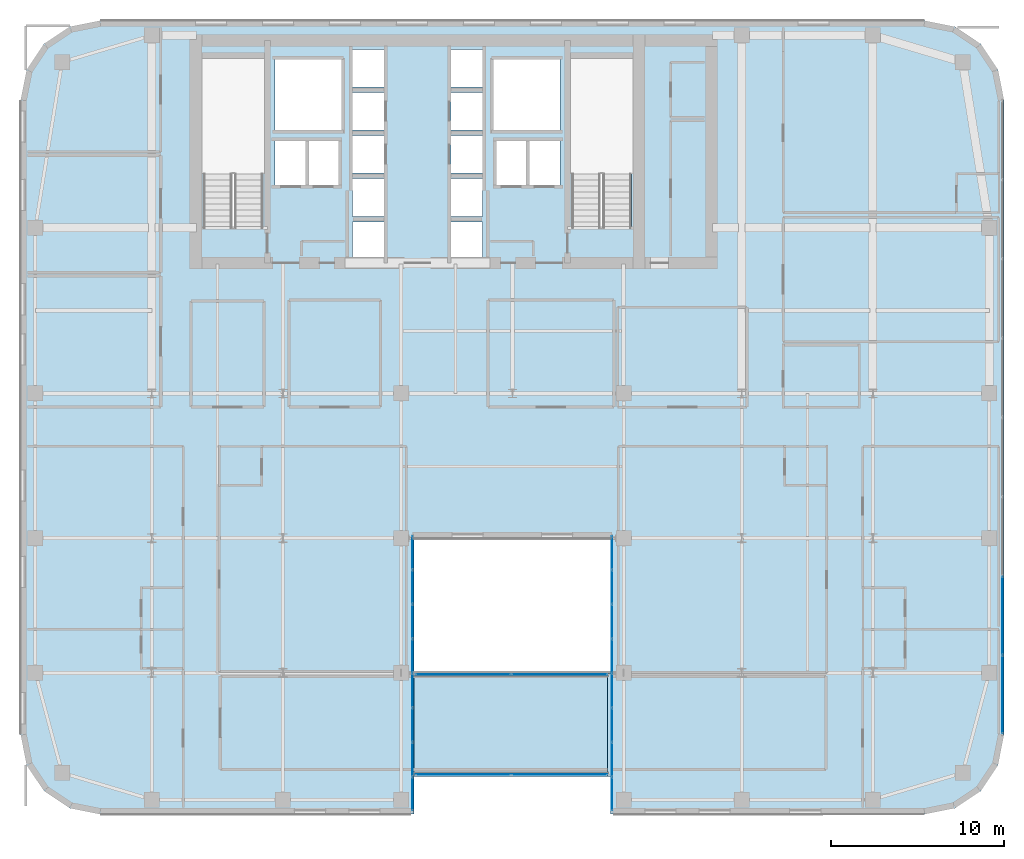
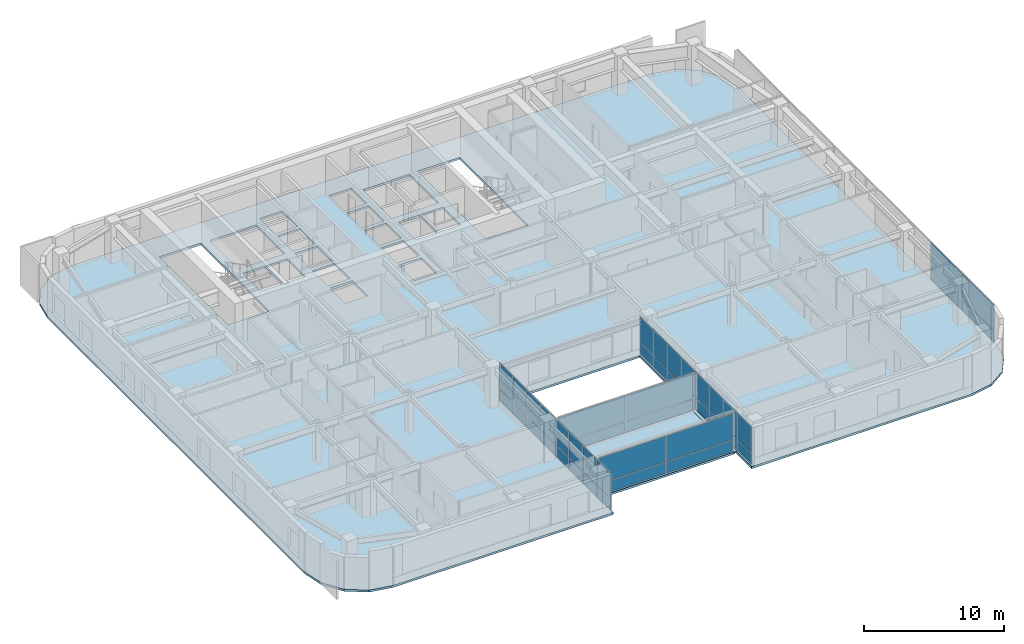
# One storey, part 18 of 31: 45 plates, 2 slabs, 5 elements without a shape of their own.
"""IFC4 building model written with IfcOpenShell, lengths in metres."""

from ifc_helpers import new_model, si_unit, direction, frame, origin, origin_2d, place, context, subcontext, project, spatial, polyline, rectangle, outline, extrude, source, transform, mapped, material, layer, layer_set, type_object, type_shapes, element, aggregate, save


model = new_model("IFC4")

# Units and contexts
model_context = context("Model", 3, precision=1e-05, world=origin(), true_north=direction((0.0, 1.0)))
body_context = subcontext(model_context, "Body", "Model", "MODEL_VIEW")
ifc_project = project(units=[si_unit("LENGTHUNIT", "METRE"), si_unit("AREAUNIT", "SQUARE_METRE"), si_unit("VOLUMEUNIT", "CUBIC_METRE"), si_unit("PLANEANGLEUNIT", "RADIAN"), si_unit("MASSUNIT", "GRAM", prefix="KILO")], contexts=[model_context])

# Site, building, storey
site_placement = place(None, origin())
site = spatial("IfcSite", under=ifc_project, at=site_placement, CompositionType="ELEMENT")
building_placement = place(site_placement, origin())
building = spatial("IfcBuilding", under=site, at=building_placement, Name="Tolvann Quenvar Hotel", CompositionType="ELEMENT")
storey_placement = place(building_placement, frame((0.0, 0.0, 125.75)))
storey = spatial("IfcBuildingStorey", under=building, at=storey_placement, Name="L32", CompositionType="ELEMENT", Elevation=125.75)

# Slabs
ifc_material_1 = material(Name="Concrete N40 (40 MPa)", Category="concrete")
ifc_layer_1 = layer(ifc_material_1, 0.179931640625)
ifc_layer_set_1 = layer_set([ifc_layer_1], Name="Concrete N40 (40 MPa)")
slab_type = type_object("IfcSlabType", Name="SLAB_TWR_180", PredefinedType="FLOOR", material=ifc_layer_set_1)
slab_1_placement = place(storey_placement, frame((0.0, 0.0, -0.179931640625)))
element("IfcSlab", 1, at=slab_1_placement, inside=storey, type_object=slab_type, Name="Level L32 Structural Floor Slab", PredefinedType="FLOOR", context=body_context, shape_type="SweptSolid", body=[
    extrude(outline(polyline([(0.0, 4.60009765625), (0.35009765625, 2.839599609375), (1.347412109375, 1.347412109375), (2.839599609375, 0.35009765625), (4.60009765625, 0.0), (22.800048828125, 0.0), (22.800048828125, 16.0), (34.199951171875, 16.0), (34.199951171875, 0.0), (52.39990234375, 0.0), (54.160400390625, 0.35009765625), (55.652587890625, 1.347412109375), (56.64990234375, 2.839599609375), (57.0, 4.60009765625), (57.0, 41.39990234375), (56.64990234375, 43.160400390625), (55.652587890625, 44.652587890625), (54.160400390625, 45.64990234375), (52.39990234375, 46.0), (4.60009765625, 46.0), (2.839599609375, 45.64990234375), (1.347412109375, 44.652587890625), (0.35009765625, 43.160400390625), (0.0, 41.39990234375), (0.0, 4.60009765625)]), holes=[polyline([(31.949951171875, 34.02490234375), (31.949951171875, 43.800048828125), (35.39990234375, 43.800048828125), (35.39990234375, 34.02490234375), (31.949951171875, 34.02490234375)]), polyline([(29.449951171875, 39.02001953125), (31.25, 39.02001953125), (31.25, 36.47998046875), (29.449951171875, 36.47998046875), (29.449951171875, 39.02001953125)]), polyline([(31.25, 43.75), (31.25, 39.64990234375), (27.39990234375, 39.64990234375), (27.39990234375, 43.75), (31.25, 43.75)]), polyline([(27.574951171875, 39.02001953125), (29.324951171875, 39.02001953125), (29.324951171875, 36.47998046875), (27.574951171875, 36.47998046875), (27.574951171875, 39.02001953125)]), polyline([(26.77001953125, 44.340087890625), (26.77001953125, 42.159912109375), (24.929931640625, 42.159912109375), (24.929931640625, 44.340087890625), (26.77001953125, 44.340087890625)]), polyline([(24.929931640625, 41.840087890625), (26.77001953125, 41.840087890625), (26.77001953125, 39.659912109375), (24.929931640625, 39.659912109375), (24.929931640625, 41.840087890625)]), polyline([(24.929931640625, 39.340087890625), (26.77001953125, 39.340087890625), (26.77001953125, 37.159912109375), (24.929931640625, 37.159912109375), (24.929931640625, 39.340087890625)]), polyline([(24.929931640625, 36.840087890625), (26.77001953125, 36.840087890625), (26.77001953125, 34.659912109375), (24.929931640625, 34.659912109375), (24.929931640625, 36.840087890625)]), polyline([(24.929931640625, 34.340087890625), (26.77001953125, 34.340087890625), (26.77001953125, 32.159912109375), (24.929931640625, 32.159912109375), (24.929931640625, 34.340087890625)]), polyline([(21.070068359375, 44.340087890625), (21.070068359375, 42.159912109375), (19.22998046875, 42.159912109375), (19.22998046875, 44.340087890625), (21.070068359375, 44.340087890625)]), polyline([(19.22998046875, 41.840087890625), (21.070068359375, 41.840087890625), (21.070068359375, 39.659912109375), (19.22998046875, 39.659912109375), (19.22998046875, 41.840087890625)]), polyline([(19.22998046875, 39.340087890625), (21.070068359375, 39.340087890625), (21.070068359375, 37.159912109375), (19.22998046875, 37.159912109375), (19.22998046875, 39.340087890625)]), polyline([(19.22998046875, 36.840087890625), (21.070068359375, 36.840087890625), (21.070068359375, 34.659912109375), (19.22998046875, 34.659912109375), (19.22998046875, 36.840087890625)]), polyline([(19.22998046875, 34.340087890625), (21.070068359375, 34.340087890625), (21.070068359375, 32.159912109375), (19.22998046875, 32.159912109375), (19.22998046875, 34.340087890625)]), polyline([(18.60009765625, 43.75), (18.60009765625, 39.64990234375), (14.75, 39.64990234375), (14.75, 43.75), (18.60009765625, 43.75)]), polyline([(16.675048828125, 39.02001953125), (18.425048828125, 39.02001953125), (18.425048828125, 36.47998046875), (16.675048828125, 36.47998046875), (16.675048828125, 39.02001953125)]), polyline([(14.75, 39.02001953125), (16.550048828125, 39.02001953125), (16.550048828125, 36.47998046875), (14.75, 36.47998046875), (14.75, 39.02001953125)]), polyline([(10.60009765625, 34.02490234375), (10.60009765625, 43.800048828125), (14.050048828125, 43.800048828125), (14.050048828125, 34.02490234375), (10.60009765625, 34.02490234375)])]), origin(), (0.0, 0.0, 1.0), 0.179931640625),
])
slab_2_placement = place(storey_placement, frame((0.0, 0.0, -0.179931640625)))
element("IfcSlab", 2, at=slab_2_placement, inside=storey, type_object=slab_type, Name="Level L32 Skybridge Deck Slab", PredefinedType="FLOOR", context=body_context, shape_type="SweptSolid", body=[
    extrude(outline(polyline([(22.800048828125, 2.199951171875), (34.080078125, 2.199951171875), (34.080078125, 8.199951171875), (22.800048828125, 8.199951171875), (22.800048828125, 2.199951171875)])), origin(), (0.0, 0.0, 1.0), 0.179931640625),
])

# Plate
ifc_material_2 = material(Name="Steel Grade 350", Category="steel")
ifc_layer_2 = layer(ifc_material_2, 0.02490234375)
ifc_layer_set_2 = layer_set([ifc_layer_2], Name="Steel Grade 350")
plate_type_1 = type_object("IfcPlateType", Name="PLT_MJ_6000", PredefinedType="SHEET", material=ifc_layer_set_2)
shared_shape_1 = source(origin(), body_context, "Body", "SweptSolid", [
    extrude(rectangle(XDim=0.239990234375, YDim=6.0, at=origin_2d()), origin(), (0.0, 0.0, 1.0), 0.02490234375),
])
type_shapes(plate_type_1, [shared_shape_1])
plate_1_placement = place(storey_placement, frame((34.139892578125, 5.199951171875, -0.02490234375), z_axis=(0.0, 0.0, 1.0), x_axis=(1.0, 0.0, 0.0)))
element("IfcPlate", 3, at=plate_1_placement, inside=storey, type_object=plate_type_1, Name="Skybridge Seismic Movement Joint Cover Plate (L32)", PredefinedType="SHEET", context=body_context, shape_type="MappedRepresentation", body=[
    mapped(shared_shape_1, transform((0.0, 0.0, 0.0), x_axis=(1.0, 0.0, 0.0), y_axis=(0.0, 1.0, 0.0), z_axis=(0.0, 0.0, 1.0), scale=1.0)),
])

# Curtain wall, plates
ifc_material_3 = material(Name="Thermally broken anodised architectural aluminium 6063-T6 and laminated low-E glass", Category="aluminium")
ifc_layer_3 = layer(ifc_material_3, 0.179931640625)
ifc_layer_set_3 = layer_set([ifc_layer_3], Name="Thermally broken anodised architectural aluminium 6063-T6 and laminated low-E glass")
curtain_wall_type_1 = type_object("IfcCurtainWallType", Name="CW_SYS_SLOT_03", PredefinedType="USERDEFINED", material=ifc_layer_set_3)
curtain_wall_1_placement = place(storey_placement, origin())
curtain_wall_1 = element("IfcCurtainWall", 4, at=curtain_wall_1_placement, inside=storey, type_object=curtain_wall_type_1, Name="Curtain Wall CW-SLOT-03 (CWR-L32-E05)", ObjectType="UNITISED CURTAIN WALL", PredefinedType="USERDEFINED")
ifc_material_4 = material(Name="Low-iron laminated double glazing with solar-control coating", Category="glass")
ifc_layer_4 = layer(ifc_material_4, 0.028076171875)
ifc_layer_set_4 = layer_set([ifc_layer_4], Name="Low-iron laminated double glazing with solar-control coating")
plate_type_2 = type_object("IfcPlateType", Name="CW_PAN_VISION_28", PredefinedType="CURTAIN_PANEL", material=ifc_layer_set_4)
shared_shape_2 = source(origin(), body_context, "Body", "SweptSolid", [
    extrude(rectangle(XDim=1.89501953125, YDim=0.028076171875, at=origin_2d()), origin(), (0.0, 0.0, 1.0), 0.9599609375),
])
plate_2_placement = place(storey_placement, frame((22.7099609375, 1.1923828125, 0.06005859375), z_axis=(0.0, 0.0, 1.0), x_axis=(0.0, 1.0, 0.0)))
plate_2 = element("IfcPlate", 5, at=plate_2_placement, type_object=plate_type_2, Name="CW-SLOT-03 panel 1.1", PredefinedType="CURTAIN_PANEL", context=body_context, shape_type="MappedRepresentation", body=[
    mapped(shared_shape_2, transform((0.0, 0.0, 0.0), x_axis=(1.0, 0.0, 0.0), y_axis=(0.0, 1.0, 0.0), z_axis=(0.0, 0.0, 1.0), scale=1.0)),
])
plate_3_placement = place(storey_placement, frame((22.7099609375, 15.157470703125, 0.06005859375), z_axis=(0.0, 0.0, 1.0), x_axis=(0.0, 1.0, 0.0)))
plate_3 = element("IfcPlate", 6, at=plate_3_placement, type_object=plate_type_2, Name="CW-SLOT-03 panel 8.1", PredefinedType="CURTAIN_PANEL", context=body_context, shape_type="MappedRepresentation", body=[
    mapped(shared_shape_2, transform((0.0, 0.0, 0.0), x_axis=(1.0, 0.0, 0.0), y_axis=(0.0, 1.0, 0.0), z_axis=(0.0, 0.0, 1.0), scale=1.0)),
])

curtain_wall_2_placement = place(storey_placement, origin())
curtain_wall_2 = element("IfcCurtainWall", 7, at=curtain_wall_2_placement, inside=storey, type_object=curtain_wall_type_1, Name="Curtain Wall CW-SLOT-03 (CWR-L32-E07)", ObjectType="UNITISED CURTAIN WALL", PredefinedType="USERDEFINED")
plate_4_placement = place(storey_placement, frame((34.2900390625, 15.157470703125, 0.06005859375), z_axis=(0.0, 0.0, 1.0), x_axis=(0.0, -1.0, 0.0)))
plate_4 = element("IfcPlate", 8, at=plate_4_placement, type_object=plate_type_2, Name="CW-SLOT-03 panel 1.1", PredefinedType="CURTAIN_PANEL", context=body_context, shape_type="MappedRepresentation", body=[
    mapped(shared_shape_2, transform((0.0, 0.0, 0.0), x_axis=(1.0, 0.0, 0.0), y_axis=(0.0, 1.0, 0.0), z_axis=(0.0, 0.0, 1.0), scale=1.0)),
])
plate_5_placement = place(storey_placement, frame((34.2900390625, 1.1923828125, 0.06005859375), z_axis=(0.0, 0.0, 1.0), x_axis=(0.0, -1.0, 0.0)))
plate_5 = element("IfcPlate", 9, at=plate_5_placement, type_object=plate_type_2, Name="CW-SLOT-03 panel 8.1", PredefinedType="CURTAIN_PANEL", context=body_context, shape_type="MappedRepresentation", body=[
    mapped(shared_shape_2, transform((0.0, 0.0, 0.0), x_axis=(1.0, 0.0, 0.0), y_axis=(0.0, 1.0, 0.0), z_axis=(0.0, 0.0, 1.0), scale=1.0)),
])

# Plate
shared_shape_3 = source(origin(), body_context, "Body", "SweptSolid", [
    extrude(rectangle(XDim=1.89501953125, YDim=0.028076171875, at=origin_2d()), origin(), (0.0, 0.0, 1.0), 2.22998046875),
])
plate_6_placement = place(storey_placement, frame((22.7099609375, 1.1923828125, 1.080078125), z_axis=(0.0, 0.0, 1.0), x_axis=(0.0, 1.0, 0.0)))
plate_6 = element("IfcPlate", 10, at=plate_6_placement, type_object=plate_type_2, Name="CW-SLOT-03 panel 1.2", PredefinedType="CURTAIN_PANEL", context=body_context, shape_type="MappedRepresentation", body=[
    mapped(shared_shape_3, transform((0.0, 0.0, 0.0), x_axis=(1.0, 0.0, 0.0), y_axis=(0.0, 1.0, 0.0), z_axis=(0.0, 0.0, 1.0), scale=1.0)),
])

plate_7_placement = place(storey_placement, frame((22.7099609375, 15.157470703125, 1.080078125), z_axis=(0.0, 0.0, 1.0), x_axis=(0.0, 1.0, 0.0)))
plate_7 = element("IfcPlate", 11, at=plate_7_placement, type_object=plate_type_2, Name="CW-SLOT-03 panel 8.2", PredefinedType="CURTAIN_PANEL", context=body_context, shape_type="MappedRepresentation", body=[
    mapped(shared_shape_3, transform((0.0, 0.0, 0.0), x_axis=(1.0, 0.0, 0.0), y_axis=(0.0, 1.0, 0.0), z_axis=(0.0, 0.0, 1.0), scale=1.0)),
])

plate_8_placement = place(storey_placement, frame((34.2900390625, 15.157470703125, 1.080078125), z_axis=(0.0, 0.0, 1.0), x_axis=(0.0, -1.0, 0.0)))
plate_8 = element("IfcPlate", 12, at=plate_8_placement, type_object=plate_type_2, Name="CW-SLOT-03 panel 1.2", PredefinedType="CURTAIN_PANEL", context=body_context, shape_type="MappedRepresentation", body=[
    mapped(shared_shape_3, transform((0.0, 0.0, 0.0), x_axis=(1.0, 0.0, 0.0), y_axis=(0.0, 1.0, 0.0), z_axis=(0.0, 0.0, 1.0), scale=1.0)),
])

plate_9_placement = place(storey_placement, frame((34.2900390625, 1.1923828125, 1.080078125), z_axis=(0.0, 0.0, 1.0), x_axis=(0.0, -1.0, 0.0)))
plate_9 = element("IfcPlate", 13, at=plate_9_placement, type_object=plate_type_2, Name="CW-SLOT-03 panel 8.2", PredefinedType="CURTAIN_PANEL", context=body_context, shape_type="MappedRepresentation", body=[
    mapped(shared_shape_3, transform((0.0, 0.0, 0.0), x_axis=(1.0, 0.0, 0.0), y_axis=(0.0, 1.0, 0.0), z_axis=(0.0, 0.0, 1.0), scale=1.0)),
])

shared_shape_4 = source(origin(), body_context, "Body", "SweptSolid", [
    extrude(rectangle(XDim=1.929931640625, YDim=0.028076171875, at=origin_2d()), origin(), (0.0, 0.0, 1.0), 0.9599609375),
])
plate_10_placement = place(storey_placement, frame((22.7099609375, 3.175048828125, 0.06005859375), z_axis=(0.0, 0.0, 1.0), x_axis=(0.0, 1.0, 0.0)))
plate_10 = element("IfcPlate", 14, at=plate_10_placement, type_object=plate_type_2, Name="CW-SLOT-03 panel 2.1", PredefinedType="CURTAIN_PANEL", context=body_context, shape_type="MappedRepresentation", body=[
    mapped(shared_shape_4, transform((0.0, 0.0, 0.0), x_axis=(1.0, 0.0, 0.0), y_axis=(0.0, 1.0, 0.0), z_axis=(0.0, 0.0, 1.0), scale=1.0)),
])

plate_11_placement = place(storey_placement, frame((22.7099609375, 5.175048828125, 0.06005859375), z_axis=(0.0, 0.0, 1.0), x_axis=(0.0, 1.0, 0.0)))
plate_11 = element("IfcPlate", 15, at=plate_11_placement, type_object=plate_type_2, Name="CW-SLOT-03 panel 3.1", PredefinedType="CURTAIN_PANEL", context=body_context, shape_type="MappedRepresentation", body=[
    mapped(shared_shape_4, transform((0.0, 0.0, 0.0), x_axis=(1.0, 0.0, 0.0), y_axis=(0.0, 1.0, 0.0), z_axis=(0.0, 0.0, 1.0), scale=1.0)),
])

plate_12_placement = place(storey_placement, frame((22.7099609375, 7.175048828125, 0.06005859375), z_axis=(0.0, 0.0, 1.0), x_axis=(0.0, 1.0, 0.0)))
plate_12 = element("IfcPlate", 16, at=plate_12_placement, type_object=plate_type_2, Name="CW-SLOT-03 panel 4.1", PredefinedType="CURTAIN_PANEL", context=body_context, shape_type="MappedRepresentation", body=[
    mapped(shared_shape_4, transform((0.0, 0.0, 0.0), x_axis=(1.0, 0.0, 0.0), y_axis=(0.0, 1.0, 0.0), z_axis=(0.0, 0.0, 1.0), scale=1.0)),
])

plate_13_placement = place(storey_placement, frame((22.7099609375, 9.175048828125, 0.06005859375), z_axis=(0.0, 0.0, 1.0), x_axis=(0.0, 1.0, 0.0)))
plate_13 = element("IfcPlate", 17, at=plate_13_placement, type_object=plate_type_2, Name="CW-SLOT-03 panel 5.1", PredefinedType="CURTAIN_PANEL", context=body_context, shape_type="MappedRepresentation", body=[
    mapped(shared_shape_4, transform((0.0, 0.0, 0.0), x_axis=(1.0, 0.0, 0.0), y_axis=(0.0, 1.0, 0.0), z_axis=(0.0, 0.0, 1.0), scale=1.0)),
])

plate_14_placement = place(storey_placement, frame((22.7099609375, 11.175048828125, 0.06005859375), z_axis=(0.0, 0.0, 1.0), x_axis=(0.0, 1.0, 0.0)))
plate_14 = element("IfcPlate", 18, at=plate_14_placement, type_object=plate_type_2, Name="CW-SLOT-03 panel 6.1", PredefinedType="CURTAIN_PANEL", context=body_context, shape_type="MappedRepresentation", body=[
    mapped(shared_shape_4, transform((0.0, 0.0, 0.0), x_axis=(1.0, 0.0, 0.0), y_axis=(0.0, 1.0, 0.0), z_axis=(0.0, 0.0, 1.0), scale=1.0)),
])

plate_15_placement = place(storey_placement, frame((22.7099609375, 13.175048828125, 0.06005859375), z_axis=(0.0, 0.0, 1.0), x_axis=(0.0, 1.0, 0.0)))
plate_15 = element("IfcPlate", 19, at=plate_15_placement, type_object=plate_type_2, Name="CW-SLOT-03 panel 7.1", PredefinedType="CURTAIN_PANEL", context=body_context, shape_type="MappedRepresentation", body=[
    mapped(shared_shape_4, transform((0.0, 0.0, 0.0), x_axis=(1.0, 0.0, 0.0), y_axis=(0.0, 1.0, 0.0), z_axis=(0.0, 0.0, 1.0), scale=1.0)),
])

plate_16_placement = place(storey_placement, frame((34.2900390625, 13.175048828125, 0.06005859375), z_axis=(0.0, 0.0, 1.0), x_axis=(0.0, -1.0, 0.0)))
plate_16 = element("IfcPlate", 20, at=plate_16_placement, type_object=plate_type_2, Name="CW-SLOT-03 panel 2.1", PredefinedType="CURTAIN_PANEL", context=body_context, shape_type="MappedRepresentation", body=[
    mapped(shared_shape_4, transform((0.0, 0.0, 0.0), x_axis=(1.0, 0.0, 0.0), y_axis=(0.0, 1.0, 0.0), z_axis=(0.0, 0.0, 1.0), scale=1.0)),
])

plate_17_placement = place(storey_placement, frame((34.2900390625, 11.175048828125, 0.06005859375), z_axis=(0.0, 0.0, 1.0), x_axis=(0.0, -1.0, 0.0)))
plate_17 = element("IfcPlate", 21, at=plate_17_placement, type_object=plate_type_2, Name="CW-SLOT-03 panel 3.1", PredefinedType="CURTAIN_PANEL", context=body_context, shape_type="MappedRepresentation", body=[
    mapped(shared_shape_4, transform((0.0, 0.0, 0.0), x_axis=(1.0, 0.0, 0.0), y_axis=(0.0, 1.0, 0.0), z_axis=(0.0, 0.0, 1.0), scale=1.0)),
])

plate_18_placement = place(storey_placement, frame((34.2900390625, 9.175048828125, 0.06005859375), z_axis=(0.0, 0.0, 1.0), x_axis=(0.0, -1.0, 0.0)))
plate_18 = element("IfcPlate", 22, at=plate_18_placement, type_object=plate_type_2, Name="CW-SLOT-03 panel 4.1", PredefinedType="CURTAIN_PANEL", context=body_context, shape_type="MappedRepresentation", body=[
    mapped(shared_shape_4, transform((0.0, 0.0, 0.0), x_axis=(1.0, 0.0, 0.0), y_axis=(0.0, 1.0, 0.0), z_axis=(0.0, 0.0, 1.0), scale=1.0)),
])

plate_19_placement = place(storey_placement, frame((34.2900390625, 7.175048828125, 0.06005859375), z_axis=(0.0, 0.0, 1.0), x_axis=(0.0, -1.0, 0.0)))
plate_19 = element("IfcPlate", 23, at=plate_19_placement, type_object=plate_type_2, Name="CW-SLOT-03 panel 5.1", PredefinedType="CURTAIN_PANEL", context=body_context, shape_type="MappedRepresentation", body=[
    mapped(shared_shape_4, transform((0.0, 0.0, 0.0), x_axis=(1.0, 0.0, 0.0), y_axis=(0.0, 1.0, 0.0), z_axis=(0.0, 0.0, 1.0), scale=1.0)),
])

plate_20_placement = place(storey_placement, frame((34.2900390625, 5.175048828125, 0.06005859375), z_axis=(0.0, 0.0, 1.0), x_axis=(0.0, -1.0, 0.0)))
plate_20 = element("IfcPlate", 24, at=plate_20_placement, type_object=plate_type_2, Name="CW-SLOT-03 panel 6.1", PredefinedType="CURTAIN_PANEL", context=body_context, shape_type="MappedRepresentation", body=[
    mapped(shared_shape_4, transform((0.0, 0.0, 0.0), x_axis=(1.0, 0.0, 0.0), y_axis=(0.0, 1.0, 0.0), z_axis=(0.0, 0.0, 1.0), scale=1.0)),
])

plate_21_placement = place(storey_placement, frame((34.2900390625, 3.175048828125, 0.06005859375), z_axis=(0.0, 0.0, 1.0), x_axis=(0.0, -1.0, 0.0)))
plate_21 = element("IfcPlate", 25, at=plate_21_placement, type_object=plate_type_2, Name="CW-SLOT-03 panel 7.1", PredefinedType="CURTAIN_PANEL", context=body_context, shape_type="MappedRepresentation", body=[
    mapped(shared_shape_4, transform((0.0, 0.0, 0.0), x_axis=(1.0, 0.0, 0.0), y_axis=(0.0, 1.0, 0.0), z_axis=(0.0, 0.0, 1.0), scale=1.0)),
])

shared_shape_5 = source(origin(), body_context, "Body", "SweptSolid", [
    extrude(rectangle(XDim=1.929931640625, YDim=0.028076171875, at=origin_2d()), origin(), (0.0, 0.0, 1.0), 2.22998046875),
])
plate_22_placement = place(storey_placement, frame((22.7099609375, 3.175048828125, 1.080078125), z_axis=(0.0, 0.0, 1.0), x_axis=(0.0, 1.0, 0.0)))
plate_22 = element("IfcPlate", 26, at=plate_22_placement, type_object=plate_type_2, Name="CW-SLOT-03 panel 2.2", PredefinedType="CURTAIN_PANEL", context=body_context, shape_type="MappedRepresentation", body=[
    mapped(shared_shape_5, transform((0.0, 0.0, 0.0), x_axis=(1.0, 0.0, 0.0), y_axis=(0.0, 1.0, 0.0), z_axis=(0.0, 0.0, 1.0), scale=1.0)),
])

plate_23_placement = place(storey_placement, frame((22.7099609375, 5.175048828125, 1.080078125), z_axis=(0.0, 0.0, 1.0), x_axis=(0.0, 1.0, 0.0)))
plate_23 = element("IfcPlate", 27, at=plate_23_placement, type_object=plate_type_2, Name="CW-SLOT-03 panel 3.2", PredefinedType="CURTAIN_PANEL", context=body_context, shape_type="MappedRepresentation", body=[
    mapped(shared_shape_5, transform((0.0, 0.0, 0.0), x_axis=(1.0, 0.0, 0.0), y_axis=(0.0, 1.0, 0.0), z_axis=(0.0, 0.0, 1.0), scale=1.0)),
])

plate_24_placement = place(storey_placement, frame((22.7099609375, 7.175048828125, 1.080078125), z_axis=(0.0, 0.0, 1.0), x_axis=(0.0, 1.0, 0.0)))
plate_24 = element("IfcPlate", 28, at=plate_24_placement, type_object=plate_type_2, Name="CW-SLOT-03 panel 4.2", PredefinedType="CURTAIN_PANEL", context=body_context, shape_type="MappedRepresentation", body=[
    mapped(shared_shape_5, transform((0.0, 0.0, 0.0), x_axis=(1.0, 0.0, 0.0), y_axis=(0.0, 1.0, 0.0), z_axis=(0.0, 0.0, 1.0), scale=1.0)),
])

plate_25_placement = place(storey_placement, frame((22.7099609375, 9.175048828125, 1.080078125), z_axis=(0.0, 0.0, 1.0), x_axis=(0.0, 1.0, 0.0)))
plate_25 = element("IfcPlate", 29, at=plate_25_placement, type_object=plate_type_2, Name="CW-SLOT-03 panel 5.2", PredefinedType="CURTAIN_PANEL", context=body_context, shape_type="MappedRepresentation", body=[
    mapped(shared_shape_5, transform((0.0, 0.0, 0.0), x_axis=(1.0, 0.0, 0.0), y_axis=(0.0, 1.0, 0.0), z_axis=(0.0, 0.0, 1.0), scale=1.0)),
])

plate_26_placement = place(storey_placement, frame((22.7099609375, 11.175048828125, 1.080078125), z_axis=(0.0, 0.0, 1.0), x_axis=(0.0, 1.0, 0.0)))
plate_26 = element("IfcPlate", 30, at=plate_26_placement, type_object=plate_type_2, Name="CW-SLOT-03 panel 6.2", PredefinedType="CURTAIN_PANEL", context=body_context, shape_type="MappedRepresentation", body=[
    mapped(shared_shape_5, transform((0.0, 0.0, 0.0), x_axis=(1.0, 0.0, 0.0), y_axis=(0.0, 1.0, 0.0), z_axis=(0.0, 0.0, 1.0), scale=1.0)),
])

plate_27_placement = place(storey_placement, frame((22.7099609375, 13.175048828125, 1.080078125), z_axis=(0.0, 0.0, 1.0), x_axis=(0.0, 1.0, 0.0)))
plate_27 = element("IfcPlate", 31, at=plate_27_placement, type_object=plate_type_2, Name="CW-SLOT-03 panel 7.2", PredefinedType="CURTAIN_PANEL", context=body_context, shape_type="MappedRepresentation", body=[
    mapped(shared_shape_5, transform((0.0, 0.0, 0.0), x_axis=(1.0, 0.0, 0.0), y_axis=(0.0, 1.0, 0.0), z_axis=(0.0, 0.0, 1.0), scale=1.0)),
])

aggregate(curtain_wall_1, [plate_2, plate_6, plate_10, plate_22, plate_11, plate_23, plate_12, plate_24, plate_13, plate_25, plate_14, plate_26, plate_15, plate_27, plate_3, plate_7])

plate_28_placement = place(storey_placement, frame((34.2900390625, 13.175048828125, 1.080078125), z_axis=(0.0, 0.0, 1.0), x_axis=(0.0, -1.0, 0.0)))
plate_28 = element("IfcPlate", 32, at=plate_28_placement, type_object=plate_type_2, Name="CW-SLOT-03 panel 2.2", PredefinedType="CURTAIN_PANEL", context=body_context, shape_type="MappedRepresentation", body=[
    mapped(shared_shape_5, transform((0.0, 0.0, 0.0), x_axis=(1.0, 0.0, 0.0), y_axis=(0.0, 1.0, 0.0), z_axis=(0.0, 0.0, 1.0), scale=1.0)),
])

plate_29_placement = place(storey_placement, frame((34.2900390625, 11.175048828125, 1.080078125), z_axis=(0.0, 0.0, 1.0), x_axis=(0.0, -1.0, 0.0)))
plate_29 = element("IfcPlate", 33, at=plate_29_placement, type_object=plate_type_2, Name="CW-SLOT-03 panel 3.2", PredefinedType="CURTAIN_PANEL", context=body_context, shape_type="MappedRepresentation", body=[
    mapped(shared_shape_5, transform((0.0, 0.0, 0.0), x_axis=(1.0, 0.0, 0.0), y_axis=(0.0, 1.0, 0.0), z_axis=(0.0, 0.0, 1.0), scale=1.0)),
])

plate_30_placement = place(storey_placement, frame((34.2900390625, 9.175048828125, 1.080078125), z_axis=(0.0, 0.0, 1.0), x_axis=(0.0, -1.0, 0.0)))
plate_30 = element("IfcPlate", 34, at=plate_30_placement, type_object=plate_type_2, Name="CW-SLOT-03 panel 4.2", PredefinedType="CURTAIN_PANEL", context=body_context, shape_type="MappedRepresentation", body=[
    mapped(shared_shape_5, transform((0.0, 0.0, 0.0), x_axis=(1.0, 0.0, 0.0), y_axis=(0.0, 1.0, 0.0), z_axis=(0.0, 0.0, 1.0), scale=1.0)),
])

plate_31_placement = place(storey_placement, frame((34.2900390625, 7.175048828125, 1.080078125), z_axis=(0.0, 0.0, 1.0), x_axis=(0.0, -1.0, 0.0)))
plate_31 = element("IfcPlate", 35, at=plate_31_placement, type_object=plate_type_2, Name="CW-SLOT-03 panel 5.2", PredefinedType="CURTAIN_PANEL", context=body_context, shape_type="MappedRepresentation", body=[
    mapped(shared_shape_5, transform((0.0, 0.0, 0.0), x_axis=(1.0, 0.0, 0.0), y_axis=(0.0, 1.0, 0.0), z_axis=(0.0, 0.0, 1.0), scale=1.0)),
])

plate_32_placement = place(storey_placement, frame((34.2900390625, 5.175048828125, 1.080078125), z_axis=(0.0, 0.0, 1.0), x_axis=(0.0, -1.0, 0.0)))
plate_32 = element("IfcPlate", 36, at=plate_32_placement, type_object=plate_type_2, Name="CW-SLOT-03 panel 6.2", PredefinedType="CURTAIN_PANEL", context=body_context, shape_type="MappedRepresentation", body=[
    mapped(shared_shape_5, transform((0.0, 0.0, 0.0), x_axis=(1.0, 0.0, 0.0), y_axis=(0.0, 1.0, 0.0), z_axis=(0.0, 0.0, 1.0), scale=1.0)),
])

plate_33_placement = place(storey_placement, frame((34.2900390625, 3.175048828125, 1.080078125), z_axis=(0.0, 0.0, 1.0), x_axis=(0.0, -1.0, 0.0)))
plate_33 = element("IfcPlate", 37, at=plate_33_placement, type_object=plate_type_2, Name="CW-SLOT-03 panel 7.2", PredefinedType="CURTAIN_PANEL", context=body_context, shape_type="MappedRepresentation", body=[
    mapped(shared_shape_5, transform((0.0, 0.0, 0.0), x_axis=(1.0, 0.0, 0.0), y_axis=(0.0, 1.0, 0.0), z_axis=(0.0, 0.0, 1.0), scale=1.0)),
])

aggregate(curtain_wall_2, [plate_4, plate_8, plate_16, plate_28, plate_17, plate_29, plate_18, plate_30, plate_19, plate_31, plate_20, plate_32, plate_21, plate_33, plate_5, plate_9])

# Curtain wall, plates
ifc_layer_5 = layer(ifc_material_3, 0.179931640625)
ifc_layer_set_5 = layer_set([ifc_layer_5], Name="Thermally broken anodised architectural aluminium 6063-T6 and laminated low-E glass")
curtain_wall_type_2 = type_object("IfcCurtainWallType", Name="CW_SYS_BAND_04", PredefinedType="USERDEFINED", material=ifc_layer_set_5)
curtain_wall_3_placement = place(storey_placement, origin())
curtain_wall_3 = element("IfcCurtainWall", 38, at=curtain_wall_3_placement, inside=storey, type_object=curtain_wall_type_2, Name="Curtain Wall CW-BAND-04 (CWR-L32-E13)", ObjectType="UNITISED CURTAIN WALL", PredefinedType="USERDEFINED")
shared_shape_6 = source(origin(), body_context, "Body", "SweptSolid", [
    extrude(rectangle(XDim=4.49072265625, YDim=0.028076171875, at=origin_2d()), origin(), (0.0, 0.0, 1.0), 0.9599609375),
])
plate_34_placement = place(storey_placement, frame((56.909912109375, 6.9326171875, 0.06005859375), z_axis=(0.0, 0.0, 1.0), x_axis=(0.0, 1.0, 0.0)))
plate_34 = element("IfcPlate", 39, at=plate_34_placement, type_object=plate_type_2, Name="CW-BAND-04 panel 1.1", PredefinedType="CURTAIN_PANEL", context=body_context, shape_type="MappedRepresentation", body=[
    mapped(shared_shape_6, transform((0.0, 0.0, 0.0), x_axis=(1.0, 0.0, 0.0), y_axis=(0.0, 1.0, 0.0), z_axis=(0.0, 0.0, 1.0), scale=1.0)),
])
shared_shape_7 = source(origin(), body_context, "Body", "SweptSolid", [
    extrude(rectangle(XDim=4.49072265625, YDim=0.028076171875, at=origin_2d()), origin(), (0.0, 0.0, 1.0), 2.22998046875),
])
plate_35_placement = place(storey_placement, frame((56.909912109375, 6.9326171875, 1.080078125), z_axis=(0.0, 0.0, 1.0), x_axis=(0.0, 1.0, 0.0)))
plate_35 = element("IfcPlate", 40, at=plate_35_placement, type_object=plate_type_2, Name="CW-BAND-04 panel 1.2", PredefinedType="CURTAIN_PANEL", context=body_context, shape_type="MappedRepresentation", body=[
    mapped(shared_shape_7, transform((0.0, 0.0, 0.0), x_axis=(1.0, 0.0, 0.0), y_axis=(0.0, 1.0, 0.0), z_axis=(0.0, 0.0, 1.0), scale=1.0)),
])
shared_shape_8 = source(origin(), body_context, "Body", "SweptSolid", [
    extrude(rectangle(XDim=4.525634765625, YDim=0.028076171875, at=origin_2d()), origin(), (0.0, 0.0, 1.0), 0.9599609375),
])
plate_36_placement = place(storey_placement, frame((56.909912109375, 11.5107421875, 0.06005859375), z_axis=(0.0, 0.0, 1.0), x_axis=(0.0, 1.0, 0.0)))
plate_36 = element("IfcPlate", 41, at=plate_36_placement, type_object=plate_type_2, Name="CW-BAND-04 panel 2.1", PredefinedType="CURTAIN_PANEL", context=body_context, shape_type="MappedRepresentation", body=[
    mapped(shared_shape_8, transform((0.0, 0.0, 0.0), x_axis=(1.0, 0.0, 0.0), y_axis=(0.0, 1.0, 0.0), z_axis=(0.0, 0.0, 1.0), scale=1.0)),
])
shared_shape_9 = source(origin(), body_context, "Body", "SweptSolid", [
    extrude(rectangle(XDim=4.525634765625, YDim=0.028076171875, at=origin_2d()), origin(), (0.0, 0.0, 1.0), 2.22998046875),
])
plate_37_placement = place(storey_placement, frame((56.909912109375, 11.5107421875, 1.080078125), z_axis=(0.0, 0.0, 1.0), x_axis=(0.0, 1.0, 0.0)))
plate_37 = element("IfcPlate", 42, at=plate_37_placement, type_object=plate_type_2, Name="CW-BAND-04 panel 2.2", PredefinedType="CURTAIN_PANEL", context=body_context, shape_type="MappedRepresentation", body=[
    mapped(shared_shape_9, transform((0.0, 0.0, 0.0), x_axis=(1.0, 0.0, 0.0), y_axis=(0.0, 1.0, 0.0), z_axis=(0.0, 0.0, 1.0), scale=1.0)),
])
aggregate(curtain_wall_3, [plate_34, plate_35, plate_36, plate_37])

curtain_wall_4_placement = place(storey_placement, origin())
curtain_wall_4 = element("IfcCurtainWall", 43, at=curtain_wall_4_placement, inside=storey, type_object=curtain_wall_type_1, Name="Curtain Wall CW-SLOT-03 (CWR-BRG-L32-S)", ObjectType="UNITISED CURTAIN WALL", PredefinedType="USERDEFINED")
shared_shape_10 = source(origin(), body_context, "Body", "SweptSolid", [
    extrude(rectangle(XDim=5.514892578125, YDim=0.028076171875, at=origin_2d()), origin(), (0.0, 0.0, 1.0), 0.9599609375),
])
plate_38_placement = place(storey_placement, frame((25.6474609375, 2.2900390625, 0.06005859375), z_axis=(0.0, 0.0, 1.0), x_axis=(1.0, 0.0, 0.0)))
plate_38 = element("IfcPlate", 44, at=plate_38_placement, type_object=plate_type_2, Name="CW-SLOT-03 panel 1.1", PredefinedType="CURTAIN_PANEL", context=body_context, shape_type="MappedRepresentation", body=[
    mapped(shared_shape_10, transform((0.0, 0.0, 0.0), x_axis=(1.0, 0.0, 0.0), y_axis=(0.0, 1.0, 0.0), z_axis=(0.0, 0.0, 1.0), scale=1.0)),
])
plate_39_placement = place(storey_placement, frame((31.232421875, 2.2900390625, 0.06005859375), z_axis=(0.0, 0.0, 1.0), x_axis=(1.0, 0.0, 0.0)))
plate_39 = element("IfcPlate", 45, at=plate_39_placement, type_object=plate_type_2, Name="CW-SLOT-03 panel 2.1", PredefinedType="CURTAIN_PANEL", context=body_context, shape_type="MappedRepresentation", body=[
    mapped(shared_shape_10, transform((0.0, 0.0, 0.0), x_axis=(1.0, 0.0, 0.0), y_axis=(0.0, 1.0, 0.0), z_axis=(0.0, 0.0, 1.0), scale=1.0)),
])

curtain_wall_5_placement = place(storey_placement, origin())
curtain_wall_5 = element("IfcCurtainWall", 46, at=curtain_wall_5_placement, inside=storey, type_object=curtain_wall_type_1, Name="Curtain Wall CW-SLOT-03 (CWR-BRG-L32-N)", ObjectType="UNITISED CURTAIN WALL", PredefinedType="USERDEFINED")
plate_40_placement = place(storey_placement, frame((31.232421875, 8.110107421875, 0.06005859375), z_axis=(0.0, 0.0, 1.0), x_axis=(-1.0, 0.0, 0.0)))
plate_40 = element("IfcPlate", 47, at=plate_40_placement, type_object=plate_type_2, Name="CW-SLOT-03 panel 1.1", PredefinedType="CURTAIN_PANEL", context=body_context, shape_type="MappedRepresentation", body=[
    mapped(shared_shape_10, transform((0.0, 0.0, 0.0), x_axis=(1.0, 0.0, 0.0), y_axis=(0.0, 1.0, 0.0), z_axis=(0.0, 0.0, 1.0), scale=1.0)),
])
plate_41_placement = place(storey_placement, frame((25.6474609375, 8.110107421875, 0.06005859375), z_axis=(0.0, 0.0, 1.0), x_axis=(-1.0, 0.0, 0.0)))
plate_41 = element("IfcPlate", 48, at=plate_41_placement, type_object=plate_type_2, Name="CW-SLOT-03 panel 2.1", PredefinedType="CURTAIN_PANEL", context=body_context, shape_type="MappedRepresentation", body=[
    mapped(shared_shape_10, transform((0.0, 0.0, 0.0), x_axis=(1.0, 0.0, 0.0), y_axis=(0.0, 1.0, 0.0), z_axis=(0.0, 0.0, 1.0), scale=1.0)),
])

# Plate
shared_shape_11 = source(origin(), body_context, "Body", "SweptSolid", [
    extrude(rectangle(XDim=5.514892578125, YDim=0.028076171875, at=origin_2d()), origin(), (0.0, 0.0, 1.0), 2.22998046875),
])
type_shapes(plate_type_2, [shared_shape_2, shared_shape_3, shared_shape_4, shared_shape_5, shared_shape_6, shared_shape_7, shared_shape_8, shared_shape_9, shared_shape_10, shared_shape_11])
plate_42_placement = place(storey_placement, frame((25.6474609375, 2.2900390625, 1.080078125), z_axis=(0.0, 0.0, 1.0), x_axis=(1.0, 0.0, 0.0)))
plate_42 = element("IfcPlate", 49, at=plate_42_placement, type_object=plate_type_2, Name="CW-SLOT-03 panel 1.2", PredefinedType="CURTAIN_PANEL", context=body_context, shape_type="MappedRepresentation", body=[
    mapped(shared_shape_11, transform((0.0, 0.0, 0.0), x_axis=(1.0, 0.0, 0.0), y_axis=(0.0, 1.0, 0.0), z_axis=(0.0, 0.0, 1.0), scale=1.0)),
])

plate_43_placement = place(storey_placement, frame((31.232421875, 2.2900390625, 1.080078125), z_axis=(0.0, 0.0, 1.0), x_axis=(1.0, 0.0, 0.0)))
plate_43 = element("IfcPlate", 50, at=plate_43_placement, type_object=plate_type_2, Name="CW-SLOT-03 panel 2.2", PredefinedType="CURTAIN_PANEL", context=body_context, shape_type="MappedRepresentation", body=[
    mapped(shared_shape_11, transform((0.0, 0.0, 0.0), x_axis=(1.0, 0.0, 0.0), y_axis=(0.0, 1.0, 0.0), z_axis=(0.0, 0.0, 1.0), scale=1.0)),
])

aggregate(curtain_wall_4, [plate_38, plate_42, plate_39, plate_43])

plate_44_placement = place(storey_placement, frame((31.232421875, 8.110107421875, 1.080078125), z_axis=(0.0, 0.0, 1.0), x_axis=(-1.0, 0.0, 0.0)))
plate_44 = element("IfcPlate", 51, at=plate_44_placement, type_object=plate_type_2, Name="CW-SLOT-03 panel 1.2", PredefinedType="CURTAIN_PANEL", context=body_context, shape_type="MappedRepresentation", body=[
    mapped(shared_shape_11, transform((0.0, 0.0, 0.0), x_axis=(1.0, 0.0, 0.0), y_axis=(0.0, 1.0, 0.0), z_axis=(0.0, 0.0, 1.0), scale=1.0)),
])

plate_45_placement = place(storey_placement, frame((25.6474609375, 8.110107421875, 1.080078125), z_axis=(0.0, 0.0, 1.0), x_axis=(-1.0, 0.0, 0.0)))
plate_45 = element("IfcPlate", 52, at=plate_45_placement, type_object=plate_type_2, Name="CW-SLOT-03 panel 2.2", PredefinedType="CURTAIN_PANEL", context=body_context, shape_type="MappedRepresentation", body=[
    mapped(shared_shape_11, transform((0.0, 0.0, 0.0), x_axis=(1.0, 0.0, 0.0), y_axis=(0.0, 1.0, 0.0), z_axis=(0.0, 0.0, 1.0), scale=1.0)),
])

aggregate(curtain_wall_5, [plate_40, plate_44, plate_41, plate_45])

save(model, "model.ifc")
